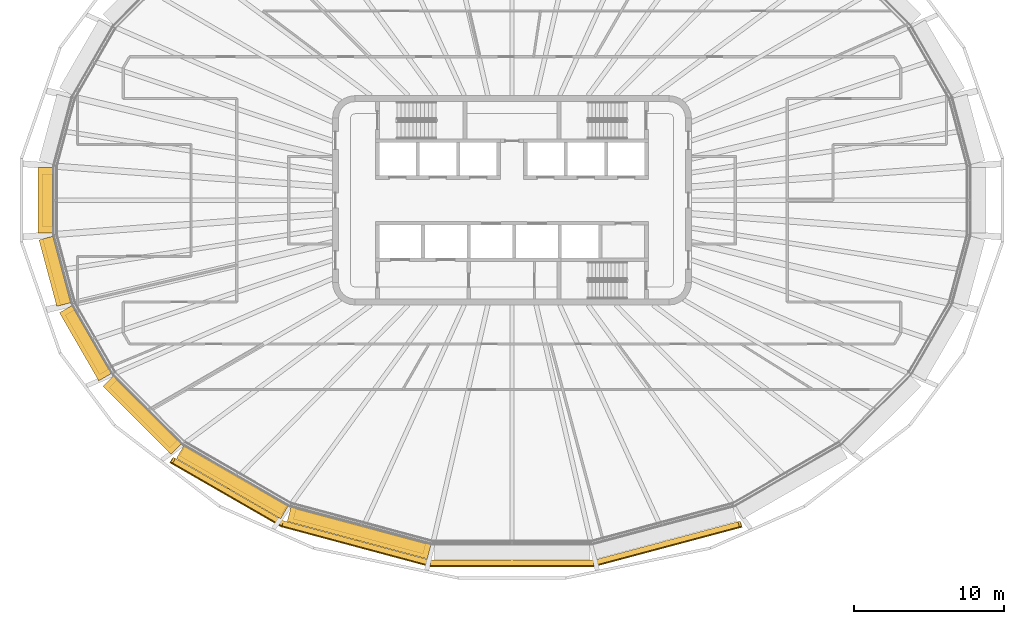
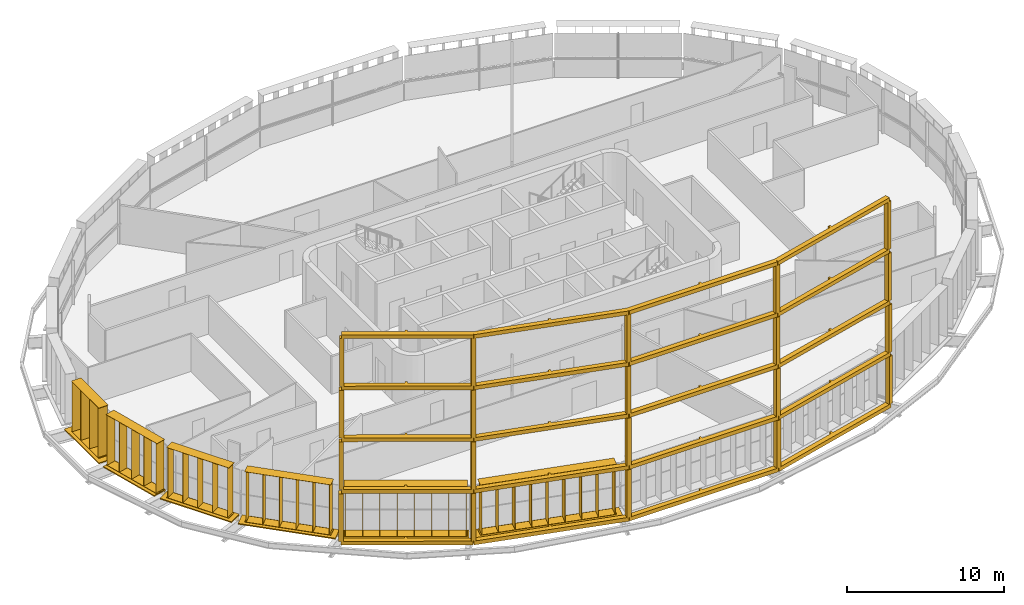
# One storey, part 16 of 20: 13 shading devices.
"""IFC4 building model written with IfcOpenShell, lengths in metres."""

from ifc_helpers import new_model, si_unit, direction, frame, origin, origin_2d, place, context, subcontext, project, spatial, polyline, rectangle, outline, extrude, material, type_object, element, save


model = new_model("IFC4")

# Units and contexts
model_context = context("Model", 3, precision=1e-05, world=origin(), true_north=direction((0.0, 1.0)))
body_context = subcontext(model_context, "Body", "Model", "MODEL_VIEW")
ifc_project = project(units=[si_unit("LENGTHUNIT", "METRE"), si_unit("AREAUNIT", "SQUARE_METRE"), si_unit("VOLUMEUNIT", "CUBIC_METRE"), si_unit("PLANEANGLEUNIT", "RADIAN"), si_unit("MASSUNIT", "GRAM", prefix="KILO")], contexts=[model_context])

# Site, building, storey
site_placement = place(None, origin())
site = spatial("IfcSite", under=ifc_project, at=site_placement, CompositionType="ELEMENT")
building_placement = place(site_placement, origin())
building = spatial("IfcBuilding", under=site, at=building_placement, Name="Sahrelin Media Tower", CompositionType="ELEMENT")
storey_placement = place(building_placement, frame((0.0, 0.0, 209.60009765625)))
storey = spatial("IfcBuildingStorey", under=building, at=storey_placement, Name="L44", CompositionType="ELEMENT", Elevation=209.60009765625)

# Shading devices
ifc_material_1 = material(Name="Dark bronze anodised aluminium 6063-T6", Category="aluminium")
shading_device_type_1 = type_object("IfcShadingDeviceType", Name="Deep frame", PredefinedType="USERDEFINED", material=ifc_material_1)
shading_device_1_placement = place(storey_placement, frame((-22.013916015625, -16.327880859375, 0.0), z_axis=(0.0, 0.0, 1.0), x_axis=(-0.866019052629, 0.500011000363, 0.0)))
element("IfcShadingDevice", 1, at=shading_device_1_placement, inside=storey, type_object=shading_device_type_1, Name="L44:FRAME:F4-1", ObjectType="FRAME", PredefinedType="USERDEFINED", context=body_context, shape_type="SweptSolid", body=[
    extrude(rectangle(XDim=0.300048828125, YDim=0.35009765625, at=origin_2d()), frame((0.0, 1.324951171875, 0.14990234375), z_axis=(0.0, 0.0, 1.0), x_axis=(-1.0, 0.0, 0.0)), (0.0, 0.0, 1.0), 3.7001953125),
    extrude(rectangle(XDim=0.300048828125, YDim=0.35009765625, at=origin_2d()), frame((-8.428466796875, 1.313720703125, 0.14990234375), z_axis=(0.0, 0.0, 1.0), x_axis=(-0.991434606813, -0.130604059715, 0.0)), (0.0, 0.0, 1.0), 3.7001953125),
    extrude(rectangle(XDim=0.300048828125, YDim=0.35009765625, at=origin_2d()), frame((-18.3173828125, -1.336181640625, 0.14990234375), z_axis=(0.0, 0.0, 1.0), x_axis=(-0.923862165937, -0.382725356294, 0.0)), (0.0, 0.0, 1.0), 3.7001953125),
    extrude(rectangle(XDim=0.300048828125, YDim=0.35009765625, at=origin_2d()), frame((-27.8134765625, -6.81884765625, 0.14990234375), z_axis=(0.0, 0.0, 1.0), x_axis=(-0.793315089117, -0.608811275668, 0.0)), (0.0, 0.0, 1.0), 3.7001953125),
    extrude(rectangle(XDim=0.300048828125, YDim=0.35009765625, at=origin_2d()), frame((-34.938232421875, -13.927490234375, 0.14990234375), z_axis=(0.0, 0.0, 1.0), x_axis=(-0.707106781187, -0.707106781187, 0.0)), (0.0, 0.0, 1.0), 3.7001953125),
    extrude(outline(polyline([(-27.90087890625, -6.667236328125), (-27.8134765625, -6.81884765625), (-27.93701171875, -6.69482421875), (-35.06201171875, -13.8037109375), (-34.814697265625, -14.051513671875), (-31.366455078125, -10.611083984375), (-31.242919921875, -10.734375), (-31.136962890625, -10.62841796875), (-31.26025390625, -10.5048828125), (-27.7060546875, -6.958984375), (-23.042724609375, -4.2666015625), (-22.95849609375, -4.41259765625), (-22.82861328125, -4.337646484375), (-22.912841796875, -4.19140625), (-18.249755859375, -1.499267578125), (-13.39990234375, -0.19970703125), (-13.3564453125, -0.362548828125), (-13.21142578125, -0.32373046875), (-13.255126953125, -0.160888671875), (-8.4052734375, 1.138671875), (-4.202880859375, 1.144287109375), (-4.202880859375, 0.969970703125), (-4.052734375, 0.969970703125), (-4.052734375, 1.14453125), (0.000244140625, 1.14990234375), (-0.000244140625, 1.5), (-8.4287109375, 1.48876953125), (-8.428466796875, 1.313720703125), (-8.473876953125, 1.482666015625), (-18.362548828125, -1.1669921875), (-18.3173828125, -1.336181640625), (-18.40478515625, -1.1845703125), (-27.90087890625, -6.667236328125)])), frame((0.0, 0.0, -0.14990234375)), (0.0, 0.0, 1.0), 0.2998046875),
    extrude(rectangle(XDim=0.300048828125, YDim=0.35009765625, at=origin_2d()), frame((-0.0146484375, 1.288818359375, 4.14990234375), z_axis=(0.0, 0.0, 1.0), x_axis=(-1.0, 0.0, 0.0)), (0.0, 0.0, 1.0), 3.7001953125),
    extrude(rectangle(XDim=0.300048828125, YDim=0.35009765625, at=origin_2d()), frame((-8.431396484375, 1.27734375, 4.14990234375), z_axis=(0.0, 0.0, 1.0), x_axis=(-0.991449189241, -0.130493314592, 0.0)), (0.0, 0.0, 1.0), 3.7001953125),
    extrude(rectangle(XDim=0.300048828125, YDim=0.35009765625, at=origin_2d()), frame((-18.306884765625, -1.368896484375, 4.14990234375), z_axis=(0.0, 0.0, 1.0), x_axis=(-0.923876860854, -0.382689882252, 0.0)), (0.0, 0.0, 1.0), 3.7001953125),
    extrude(rectangle(XDim=0.300048828125, YDim=0.35009765625, at=origin_2d()), frame((-27.790283203125, -6.84423828125, 4.14990234375), z_axis=(0.0, 0.0, 1.0), x_axis=(-0.793362902596, -0.608748966968, 0.0)), (0.0, 0.0, 1.0), 3.7001953125),
    extrude(rectangle(XDim=0.300048828125, YDim=0.35009765625, at=origin_2d()), frame((-34.905517578125, -13.943115234375, 4.14990234375), z_axis=(0.0, 0.0, 1.0), x_axis=(-0.707106781187, -0.707106781187, 0.0)), (0.0, 0.0, 1.0), 3.7001953125),
    extrude(outline(polyline([(-27.8779296875, -6.692626953125), (-27.790283203125, -6.84423828125), (-27.9140625, -6.72021484375), (-35.029052734375, -13.8193359375), (-34.78173828125, -14.067138671875), (-31.33837890625, -10.631591796875), (-31.215087890625, -10.7548828125), (-31.10888671875, -10.648681640625), (-31.232421875, -10.525390625), (-27.68310546875, -6.984375), (-23.026123046875, -4.29541015625), (-22.941650390625, -4.441650390625), (-22.811767578125, -4.36669921875), (-22.896240234375, -4.220458984375), (-18.2392578125, -1.531982421875), (-13.396240234375, -0.234130859375), (-13.3525390625, -0.397216796875), (-13.207763671875, -0.3583984375), (-13.25146484375, -0.1953125), (-8.408203125, 1.102294921875), (-4.211669921875, 1.10791015625), (-4.211669921875, 0.93359375), (-4.0615234375, 0.93359375), (-4.0615234375, 1.108154296875), (-0.014404296875, 1.11376953125), (-0.014892578125, 1.463623046875), (-8.431640625, 1.452392578125), (-8.431396484375, 1.27734375), (-8.476806640625, 1.4462890625), (-18.35205078125, -1.19970703125), (-18.306884765625, -1.368896484375), (-18.394287109375, -1.21728515625), (-27.8779296875, -6.692626953125)])), frame((0.0, 0.0, 3.85009765625)), (0.0, 0.0, 1.0), 0.2998046875),
    extrude(rectangle(XDim=0.300048828125, YDim=0.35009765625, at=origin_2d()), frame((-0.02783203125, 1.256103515625, 8.14990234375), z_axis=(0.0, 0.0, 1.0), x_axis=(-1.0, 0.0, 0.0)), (0.0, 0.0, 1.0), 3.7001953125),
    extrude(rectangle(XDim=0.300048828125, YDim=0.35009765625, at=origin_2d()), frame((-8.43408203125, 1.24462890625, 8.14990234375), z_axis=(0.0, 0.0, 1.0), x_axis=(-0.991447594891, -0.130505427419, 0.0)), (0.0, 0.0, 1.0), 3.7001953125),
    extrude(rectangle(XDim=0.300048828125, YDim=0.35009765625, at=origin_2d()), frame((-18.297607421875, -1.398193359375, 8.14990234375), z_axis=(0.0, 0.0, 1.0), x_axis=(-0.923912256654, -0.382604419741, 0.0)), (0.0, 0.0, 1.0), 3.7001953125),
    extrude(rectangle(XDim=0.300048828125, YDim=0.35009765625, at=origin_2d()), frame((-27.76953125, -6.866943359375, 8.14990234375), z_axis=(0.0, 0.0, 1.0), x_axis=(-0.793352277801, -0.608762813671, 0.0)), (0.0, 0.0, 1.0), 3.7001953125),
    extrude(rectangle(XDim=0.300048828125, YDim=0.35009765625, at=origin_2d()), frame((-34.875732421875, -13.957275390625, 8.14990234375), z_axis=(0.0, 0.0, 1.0), x_axis=(-0.707106781187, -0.707106781187, 0.0)), (0.0, 0.0, 1.0), 3.7001953125),
    extrude(outline(polyline([(-27.857177734375, -6.71533203125), (-27.76953125, -6.866943359375), (-27.893310546875, -6.7431640625), (-34.99951171875, -13.833251953125), (-34.752197265625, -14.0810546875), (-31.313232421875, -10.64990234375), (-31.18994140625, -10.773193359375), (-31.083740234375, -10.667236328125), (-31.20703125, -10.5439453125), (-27.662353515625, -7.007080078125), (-23.010986328125, -4.321533203125), (-22.9267578125, -4.4677734375), (-22.796875, -4.392578125), (-22.881103515625, -4.24658203125), (-18.22998046875, -1.561279296875), (-13.392822265625, -0.26513671875), (-13.349365234375, -0.427978515625), (-13.204345703125, -0.389404296875), (-13.248046875, -0.226318359375), (-8.410888671875, 1.06982421875), (-4.219482421875, 1.075439453125), (-4.219482421875, 0.901123046875), (-4.069580078125, 0.901123046875), (-4.069580078125, 1.07568359375), (-0.027587890625, 1.0810546875), (-0.028076171875, 1.43115234375), (-8.434326171875, 1.419677734375), (-8.43408203125, 1.24462890625), (-8.4794921875, 1.413818359375), (-18.3427734375, -1.22900390625), (-18.297607421875, -1.398193359375), (-18.385009765625, -1.24658203125), (-27.857177734375, -6.71533203125)])), frame((0.0, 0.0, 7.85009765625)), (0.0, 0.0, 1.0), 0.2998046875),
    extrude(rectangle(XDim=0.300048828125, YDim=0.35009765625, at=origin_2d()), frame((-0.03955078125, 1.227294921875, 12.14990234375), z_axis=(0.0, 0.0, 1.0), x_axis=(-1.0, 0.0, 0.0)), (0.0, 0.0, 1.0), 3.7001953125),
    extrude(rectangle(XDim=0.300048828125, YDim=0.35009765625, at=origin_2d()), frame((-8.436279296875, 1.216064453125, 12.14990234375), z_axis=(0.0, 0.0, 1.0), x_axis=(-0.991449189241, -0.130493314592, 0.0)), (0.0, 0.0, 1.0), 3.7001953125),
    extrude(rectangle(XDim=0.300048828125, YDim=0.35009765625, at=origin_2d()), frame((-18.289306640625, -1.424072265625, 12.14990234375), z_axis=(0.0, 0.0, 1.0), x_axis=(-0.923897565017, -0.382639895143, 0.0)), (0.0, 0.0, 1.0), 3.7001953125),
    extrude(rectangle(XDim=0.300048828125, YDim=0.35009765625, at=origin_2d()), frame((-27.751220703125, -6.886962890625, 12.14990234375), z_axis=(0.0, 0.0, 1.0), x_axis=(-0.793315089117, -0.608811275668, 0.0)), (0.0, 0.0, 1.0), 3.7001953125),
    extrude(rectangle(XDim=0.300048828125, YDim=0.35009765625, at=origin_2d()), frame((-34.849853515625, -13.969482421875, 12.14990234375), z_axis=(0.0, 0.0, 1.0), x_axis=(-0.707106781187, -0.707106781187, 0.0)), (0.0, 0.0, 1.0), 3.7001953125),
    extrude(outline(polyline([(-27.8388671875, -6.7353515625), (-27.751220703125, -6.886962890625), (-27.875, -6.76318359375), (-34.973388671875, -13.845703125), (-34.726318359375, -14.093505859375), (-31.291015625, -10.666015625), (-31.167724609375, -10.789306640625), (-31.0615234375, -10.683349609375), (-31.184814453125, -10.56005859375), (-27.643798828125, -7.027099609375), (-22.997802734375, -4.344482421875), (-22.913330078125, -4.490478515625), (-22.783447265625, -4.41552734375), (-22.867919921875, -4.26953125), (-18.2216796875, -1.587158203125), (-13.389892578125, -0.29248046875), (-13.346435546875, -0.455322265625), (-13.201416015625, -0.41650390625), (-13.2451171875, -0.253662109375), (-8.413330078125, 1.041015625), (-4.2265625, 1.046630859375), (-4.2265625, 0.872314453125), (-4.076416015625, 0.872314453125), (-4.076416015625, 1.046875), (-0.039306640625, 1.05224609375), (-0.039794921875, 1.40234375), (-8.436767578125, 1.39111328125), (-8.436279296875, 1.216064453125), (-8.481689453125, 1.385009765625), (-18.334716796875, -1.2548828125), (-18.289306640625, -1.424072265625), (-18.376953125, -1.2724609375), (-27.8388671875, -6.7353515625)])), frame((0.0, 0.0, 11.85009765625)), (0.0, 0.0, 1.0), 0.2998046875),
    extrude(outline(polyline([(-27.8388671875, -6.7353515625), (-27.751220703125, -6.886962890625), (-27.875, -6.76318359375), (-34.973388671875, -13.845703125), (-34.726318359375, -14.093505859375), (-31.291015625, -10.666015625), (-31.167724609375, -10.789306640625), (-31.0615234375, -10.683349609375), (-31.184814453125, -10.56005859375), (-27.643798828125, -7.027099609375), (-22.997802734375, -4.344482421875), (-22.913330078125, -4.490478515625), (-22.783447265625, -4.41552734375), (-22.867919921875, -4.26953125), (-18.2216796875, -1.587158203125), (-13.389892578125, -0.29248046875), (-13.346435546875, -0.455322265625), (-13.201416015625, -0.41650390625), (-13.2451171875, -0.253662109375), (-8.413330078125, 1.041015625), (-4.2265625, 1.046630859375), (-4.2265625, 0.872314453125), (-4.076416015625, 0.872314453125), (-4.076416015625, 1.046875), (-0.039306640625, 1.05224609375), (-0.039794921875, 1.40234375), (-8.436767578125, 1.39111328125), (-8.436279296875, 1.216064453125), (-8.481689453125, 1.385009765625), (-18.334716796875, -1.2548828125), (-18.289306640625, -1.424072265625), (-18.376953125, -1.2724609375), (-27.8388671875, -6.7353515625)])), frame((0.0, 0.0, 15.85009765625)), (0.0, 0.0, 1.0), 0.2998046875),
])
ifc_material_2 = material(Name="Champagne anodised aluminium 6063-T6", Category="aluminium")
shading_device_type_2 = type_object("IfcShadingDeviceType", Name="Fin cassette", PredefinedType="USERDEFINED", material=ifc_material_2)
placement_1 = place(storey_placement, frame((-30.665283203125, 0.0, 0.0), z_axis=(0.0, 0.0, 1.0), x_axis=(0.0, 1.0, 0.0)))
element("IfcShadingDevice", 2, at=placement_1, inside=storey, type_object=shading_device_type_2, Name="L44:FIN:L44-12", ObjectType="FIN", PredefinedType="USERDEFINED", context=body_context, shape_type="SweptSolid", body=[
    extrude(rectangle(XDim=3.5, YDim=0.699951171875, at=origin_2d()), frame((0.0, 0.419921875, 0.0)), (0.0, 0.0, 1.0), 0.02001953125),
    extrude(rectangle(XDim=3.5, YDim=0.699951171875, at=origin_2d()), frame((0.0, 0.419921875, 3.89990234375)), (0.0, 0.0, 1.0), 0.02001953125),
    extrude(rectangle(XDim=0.02001953125, YDim=0.699951171875, at=origin_2d()), frame((-1.64990234375, 0.419921875, 0.010009765625), z_axis=(0.0, 0.0, 1.0), x_axis=(1.0, 0.0, 0.0)), (0.0, 0.0, 1.0), 3.89990234375),
    extrude(rectangle(XDim=0.02001953125, YDim=0.699951171875, at=origin_2d()), frame((-0.550048828125, 0.419921875, 0.010009765625), z_axis=(0.0, 0.0, 1.0), x_axis=(1.0, 0.0, 0.0)), (0.0, 0.0, 1.0), 3.89990234375),
    extrude(rectangle(XDim=0.02001953125, YDim=0.699951171875, at=origin_2d()), frame((0.550048828125, 0.419921875, 0.010009765625), z_axis=(0.0, 0.0, 1.0), x_axis=(1.0, 0.0, 0.0)), (0.0, 0.0, 1.0), 3.89990234375),
    extrude(rectangle(XDim=0.02001953125, YDim=0.699951171875, at=origin_2d()), frame((1.64990234375, 0.419921875, 0.010009765625), z_axis=(0.0, 0.0, 1.0), x_axis=(1.0, 0.0, 0.0)), (0.0, 0.0, 1.0), 3.89990234375),
])
placement_2 = place(storey_placement, frame((-30.045166015625, -4.606201171875, 0.0), z_axis=(0.0, 0.0, 1.0), x_axis=(-0.258807731996, 0.965928857556, 0.0)))
element("IfcShadingDevice", 3, at=placement_2, inside=storey, type_object=shading_device_type_2, Name="L44:FIN:L44-13", ObjectType="FIN", PredefinedType="USERDEFINED", context=body_context, shape_type="SweptSolid", body=[
    extrude(rectangle(XDim=4.60009765625, YDim=0.699951171875, at=origin_2d()), frame((0.0, 0.419921875, 0.0)), (0.0, 0.0, 1.0), 0.02001953125),
    extrude(rectangle(XDim=4.60009765625, YDim=0.699951171875, at=origin_2d()), frame((0.0, 0.419921875, 3.89990234375)), (0.0, 0.0, 1.0), 0.02001953125),
    extrude(rectangle(XDim=0.02001953125, YDim=0.699951171875, at=origin_2d()), frame((-2.199951171875, 0.419921875, 0.010009765625), z_axis=(0.0, 0.0, 1.0), x_axis=(1.0, 0.0, 0.0)), (0.0, 0.0, 1.0), 3.89990234375),
    extrude(rectangle(XDim=0.02001953125, YDim=0.699951171875, at=origin_2d()), frame((-1.10009765625, 0.419921875, 0.010009765625), z_axis=(0.0, 0.0, 1.0), x_axis=(1.0, 0.0, 0.0)), (0.0, 0.0, 1.0), 3.89990234375),
    extrude(rectangle(XDim=0.02001953125, YDim=0.699951171875, at=origin_2d()), frame((0.0, 0.419921875, 0.010009765625), z_axis=(0.0, 0.0, 1.0), x_axis=(1.0, 0.0, 0.0)), (0.0, 0.0, 1.0), 3.89990234375),
    extrude(rectangle(XDim=0.02001953125, YDim=0.699951171875, at=origin_2d()), frame((1.10009765625, 0.419921875, 0.010009765625), z_axis=(0.0, 0.0, 1.0), x_axis=(1.0, 0.0, 0.0)), (0.0, 0.0, 1.0), 3.89990234375),
    extrude(rectangle(XDim=0.02001953125, YDim=0.699951171875, at=origin_2d()), frame((2.199951171875, 0.419921875, 0.010009765625), z_axis=(0.0, 0.0, 1.0), x_axis=(1.0, 0.0, 0.0)), (0.0, 0.0, 1.0), 3.89990234375),
])
placement_3 = place(storey_placement, frame((-28.0615234375, -9.281982421875, 0.0), z_axis=(0.0, 0.0, 1.0), x_axis=(-0.500011000363, 0.866019052629, 0.0)))
element("IfcShadingDevice", 4, at=placement_3, inside=storey, type_object=shading_device_type_2, Name="L44:FIN:L44-14", ObjectType="FIN", PredefinedType="USERDEFINED", context=body_context, shape_type="SweptSolid", body=[
    extrude(rectangle(XDim=4.60009765625, YDim=0.699951171875, at=origin_2d()), frame((0.0, 0.419921875, 0.0)), (0.0, 0.0, 1.0), 0.02001953125),
    extrude(rectangle(XDim=4.60009765625, YDim=0.699951171875, at=origin_2d()), frame((0.0, 0.419921875, 3.89990234375)), (0.0, 0.0, 1.0), 0.02001953125),
    extrude(rectangle(XDim=0.02001953125, YDim=0.699951171875, at=origin_2d()), frame((-2.199951171875, 0.419921875, 0.010009765625), z_axis=(0.0, 0.0, 1.0), x_axis=(1.0, 0.0, 0.0)), (0.0, 0.0, 1.0), 3.89990234375),
    extrude(rectangle(XDim=0.02001953125, YDim=0.699951171875, at=origin_2d()), frame((-1.10009765625, 0.419921875, 0.010009765625), z_axis=(0.0, 0.0, 1.0), x_axis=(1.0, 0.0, 0.0)), (0.0, 0.0, 1.0), 3.89990234375),
    extrude(rectangle(XDim=0.02001953125, YDim=0.699951171875, at=origin_2d()), frame((0.0, 0.419921875, 0.010009765625), z_axis=(0.0, 0.0, 1.0), x_axis=(1.0, 0.0, 0.0)), (0.0, 0.0, 1.0), 3.89990234375),
    extrude(rectangle(XDim=0.02001953125, YDim=0.699951171875, at=origin_2d()), frame((1.10009765625, 0.419921875, 0.010009765625), z_axis=(0.0, 0.0, 1.0), x_axis=(1.0, 0.0, 0.0)), (0.0, 0.0, 1.0), 3.89990234375),
    extrude(rectangle(XDim=0.02001953125, YDim=0.699951171875, at=origin_2d()), frame((2.199951171875, 0.419921875, 0.010009765625), z_axis=(0.0, 0.0, 1.0), x_axis=(1.0, 0.0, 0.0)), (0.0, 0.0, 1.0), 3.89990234375),
])
placement_4 = place(storey_placement, frame((-24.356201171875, -13.985595703125, 0.0), z_axis=(0.0, 0.0, 1.0), x_axis=(-0.707106781187, 0.707106781187, 0.0)))
element("IfcShadingDevice", 5, at=placement_4, inside=storey, type_object=shading_device_type_2, Name="L44:FIN:L44-15", ObjectType="FIN", PredefinedType="USERDEFINED", context=body_context, shape_type="SweptSolid", body=[
    extrude(rectangle(XDim=5.699951171875, YDim=0.699951171875, at=origin_2d()), frame((0.0, 0.419921875, 0.0)), (0.0, 0.0, 1.0), 0.02001953125),
    extrude(rectangle(XDim=5.699951171875, YDim=0.699951171875, at=origin_2d()), frame((0.0, 0.419921875, 3.89990234375)), (0.0, 0.0, 1.0), 0.02001953125),
    extrude(rectangle(XDim=0.02001953125, YDim=0.699951171875, at=origin_2d()), frame((-2.75, 0.419921875, 0.010009765625), z_axis=(0.0, 0.0, 1.0), x_axis=(1.0, 0.0, 0.0)), (0.0, 0.0, 1.0), 3.89990234375),
    extrude(rectangle(XDim=0.02001953125, YDim=0.699951171875, at=origin_2d()), frame((-1.64990234375, 0.419921875, 0.010009765625), z_axis=(0.0, 0.0, 1.0), x_axis=(1.0, 0.0, 0.0)), (0.0, 0.0, 1.0), 3.89990234375),
    extrude(rectangle(XDim=0.02001953125, YDim=0.699951171875, at=origin_2d()), frame((-0.550048828125, 0.419921875, 0.010009765625), z_axis=(0.0, 0.0, 1.0), x_axis=(1.0, 0.0, 0.0)), (0.0, 0.0, 1.0), 3.89990234375),
    extrude(rectangle(XDim=0.02001953125, YDim=0.699951171875, at=origin_2d()), frame((0.550048828125, 0.419921875, 0.010009765625), z_axis=(0.0, 0.0, 1.0), x_axis=(1.0, 0.0, 0.0)), (0.0, 0.0, 1.0), 3.89990234375),
    extrude(rectangle(XDim=0.02001953125, YDim=0.699951171875, at=origin_2d()), frame((1.64990234375, 0.419921875, 0.010009765625), z_axis=(0.0, 0.0, 1.0), x_axis=(1.0, 0.0, 0.0)), (0.0, 0.0, 1.0), 3.89990234375),
    extrude(rectangle(XDim=0.02001953125, YDim=0.699951171875, at=origin_2d()), frame((2.75, 0.419921875, 0.010009765625), z_axis=(0.0, 0.0, 1.0), x_axis=(1.0, 0.0, 0.0)), (0.0, 0.0, 1.0), 3.89990234375),
])
placement_5 = place(storey_placement, frame((-18.439208984375, -18.3916015625, 0.0), z_axis=(0.0, 0.0, 1.0), x_axis=(-0.866019052629, 0.500011000363, 0.0)))
element("IfcShadingDevice", 6, at=placement_5, inside=storey, type_object=shading_device_type_2, Name="L44:FIN:L44-16", ObjectType="FIN", PredefinedType="USERDEFINED", context=body_context, shape_type="SweptSolid", body=[
    extrude(rectangle(XDim=7.89990234375, YDim=0.699951171875, at=origin_2d()), frame((0.0, 0.419921875, 0.0)), (0.0, 0.0, 1.0), 0.02001953125),
    extrude(rectangle(XDim=7.89990234375, YDim=0.699951171875, at=origin_2d()), frame((0.0, 0.419921875, 3.89990234375)), (0.0, 0.0, 1.0), 0.02001953125),
    extrude(rectangle(XDim=0.02001953125, YDim=0.699951171875, at=origin_2d()), frame((-3.85009765625, 0.419921875, 0.010009765625), z_axis=(0.0, 0.0, 1.0), x_axis=(1.0, 0.0, 0.0)), (0.0, 0.0, 1.0), 3.89990234375),
    extrude(rectangle(XDim=0.02001953125, YDim=0.699951171875, at=origin_2d()), frame((-2.75, 0.419921875, 0.010009765625), z_axis=(0.0, 0.0, 1.0), x_axis=(1.0, 0.0, 0.0)), (0.0, 0.0, 1.0), 3.89990234375),
    extrude(rectangle(XDim=0.02001953125, YDim=0.699951171875, at=origin_2d()), frame((-1.64990234375, 0.419921875, 0.010009765625), z_axis=(0.0, 0.0, 1.0), x_axis=(1.0, 0.0, 0.0)), (0.0, 0.0, 1.0), 3.89990234375),
    extrude(rectangle(XDim=0.02001953125, YDim=0.699951171875, at=origin_2d()), frame((-0.550048828125, 0.419921875, 0.010009765625), z_axis=(0.0, 0.0, 1.0), x_axis=(1.0, 0.0, 0.0)), (0.0, 0.0, 1.0), 3.89990234375),
    extrude(rectangle(XDim=0.02001953125, YDim=0.699951171875, at=origin_2d()), frame((0.550048828125, 0.419921875, 0.010009765625), z_axis=(0.0, 0.0, 1.0), x_axis=(1.0, 0.0, 0.0)), (0.0, 0.0, 1.0), 3.89990234375),
    extrude(rectangle(XDim=0.02001953125, YDim=0.699951171875, at=origin_2d()), frame((1.64990234375, 0.419921875, 0.010009765625), z_axis=(0.0, 0.0, 1.0), x_axis=(1.0, 0.0, 0.0)), (0.0, 0.0, 1.0), 3.89990234375),
    extrude(rectangle(XDim=0.02001953125, YDim=0.699951171875, at=origin_2d()), frame((2.75, 0.419921875, 0.010009765625), z_axis=(0.0, 0.0, 1.0), x_axis=(1.0, 0.0, 0.0)), (0.0, 0.0, 1.0), 3.89990234375),
    extrude(rectangle(XDim=0.02001953125, YDim=0.699951171875, at=origin_2d()), frame((3.85009765625, 0.419921875, 0.010009765625), z_axis=(0.0, 0.0, 1.0), x_axis=(1.0, 0.0, 0.0)), (0.0, 0.0, 1.0), 3.89990234375),
])
placement_6 = place(storey_placement, frame((-10.087158203125, -21.735595703125, 0.0), z_axis=(0.0, 0.0, 1.0), x_axis=(-0.965928857556, 0.258807731996, 0.0)))
element("IfcShadingDevice", 7, at=placement_6, inside=storey, type_object=shading_device_type_2, Name="L44:FIN:L44-17", ObjectType="FIN", PredefinedType="USERDEFINED", context=body_context, shape_type="SweptSolid", body=[
    extrude(rectangle(XDim=9.0, YDim=0.699951171875, at=origin_2d()), frame((0.0, 0.419921875, 0.0)), (0.0, 0.0, 1.0), 0.02001953125),
    extrude(rectangle(XDim=9.0, YDim=0.699951171875, at=origin_2d()), frame((0.0, 0.419921875, 3.89990234375)), (0.0, 0.0, 1.0), 0.02001953125),
    extrude(rectangle(XDim=0.02001953125, YDim=0.699951171875, at=origin_2d()), frame((-4.39990234375, 0.419921875, 0.010009765625), z_axis=(0.0, 0.0, 1.0), x_axis=(1.0, 0.0, 0.0)), (0.0, 0.0, 1.0), 3.89990234375),
    extrude(rectangle(XDim=0.02001953125, YDim=0.699951171875, at=origin_2d()), frame((-3.300048828125, 0.419921875, 0.010009765625), z_axis=(0.0, 0.0, 1.0), x_axis=(1.0, 0.0, 0.0)), (0.0, 0.0, 1.0), 3.89990234375),
    extrude(rectangle(XDim=0.02001953125, YDim=0.699951171875, at=origin_2d()), frame((-2.199951171875, 0.419921875, 0.010009765625), z_axis=(0.0, 0.0, 1.0), x_axis=(1.0, 0.0, 0.0)), (0.0, 0.0, 1.0), 3.89990234375),
    extrude(rectangle(XDim=0.02001953125, YDim=0.699951171875, at=origin_2d()), frame((-1.10009765625, 0.419921875, 0.010009765625), z_axis=(0.0, 0.0, 1.0), x_axis=(1.0, 0.0, 0.0)), (0.0, 0.0, 1.0), 3.89990234375),
    extrude(rectangle(XDim=0.02001953125, YDim=0.699951171875, at=origin_2d()), frame((0.0, 0.419921875, 0.010009765625), z_axis=(0.0, 0.0, 1.0), x_axis=(1.0, 0.0, 0.0)), (0.0, 0.0, 1.0), 3.89990234375),
    extrude(rectangle(XDim=0.02001953125, YDim=0.699951171875, at=origin_2d()), frame((1.10009765625, 0.419921875, 0.010009765625), z_axis=(0.0, 0.0, 1.0), x_axis=(1.0, 0.0, 0.0)), (0.0, 0.0, 1.0), 3.89990234375),
    extrude(rectangle(XDim=0.02001953125, YDim=0.699951171875, at=origin_2d()), frame((2.199951171875, 0.419921875, 0.010009765625), z_axis=(0.0, 0.0, 1.0), x_axis=(1.0, 0.0, 0.0)), (0.0, 0.0, 1.0), 3.89990234375),
    extrude(rectangle(XDim=0.02001953125, YDim=0.699951171875, at=origin_2d()), frame((3.300048828125, 0.419921875, 0.010009765625), z_axis=(0.0, 0.0, 1.0), x_axis=(1.0, 0.0, 0.0)), (0.0, 0.0, 1.0), 3.89990234375),
    extrude(rectangle(XDim=0.02001953125, YDim=0.699951171875, at=origin_2d()), frame((4.39990234375, 0.419921875, 0.010009765625), z_axis=(0.0, 0.0, 1.0), x_axis=(1.0, 0.0, 0.0)), (0.0, 0.0, 1.0), 3.89990234375),
])
shading_device_type_3 = type_object("IfcShadingDeviceType", Name="Sunshade band", PredefinedType="USERDEFINED", material=ifc_material_2)
element("IfcShadingDevice", 8, at=placement_1, inside=storey, type_object=shading_device_type_3, Name="L44:SUN:L44-12", ObjectType="SUNSHADE", PredefinedType="USERDEFINED", context=body_context, shape_type="SweptSolid", body=[
    extrude(rectangle(XDim=4.3828125, YDim=0.050048828125, at=origin_2d()), frame((0.0, 0.044921875, -0.55126953125)), (0.0, 0.0, 1.0), 0.471435546875),
    extrude(rectangle(XDim=4.3828125, YDim=1.0, at=origin_2d()), frame((0.0, 0.52001953125, -0.080078125)), (0.0, 0.0, 1.0), 0.080078125),
    extrude(rectangle(XDim=0.10009765625, YDim=0.074951171875, at=origin_2d()), frame((-2.09130859375, -0.017578125, -0.47021484375)), (0.0, 0.0, 1.0), 0.300048828125),
    extrude(rectangle(XDim=0.10009765625, YDim=0.074951171875, at=origin_2d()), frame((-0.697021484375, -0.017578125, -0.47021484375)), (0.0, 0.0, 1.0), 0.300048828125),
    extrude(rectangle(XDim=0.10009765625, YDim=0.074951171875, at=origin_2d()), frame((0.697021484375, -0.017578125, -0.47021484375)), (0.0, 0.0, 1.0), 0.300048828125),
    extrude(rectangle(XDim=0.10009765625, YDim=0.074951171875, at=origin_2d()), frame((2.09130859375, -0.017578125, -0.47021484375)), (0.0, 0.0, 1.0), 0.300048828125),
])
element("IfcShadingDevice", 9, at=placement_2, inside=storey, type_object=shading_device_type_3, Name="L44:SUN:L44-13", ObjectType="SUNSHADE", PredefinedType="USERDEFINED", context=body_context, shape_type="SweptSolid", body=[
    extrude(rectangle(XDim=4.5927734375, YDim=0.050048828125, at=origin_2d()), frame((0.0, 0.044921875, -0.55126953125)), (0.0, 0.0, 1.0), 0.471435546875),
    extrude(rectangle(XDim=4.5927734375, YDim=1.0, at=origin_2d()), frame((0.0, 0.52001953125, -0.080078125)), (0.0, 0.0, 1.0), 0.080078125),
    extrude(rectangle(XDim=0.10009765625, YDim=0.074951171875, at=origin_2d()), frame((-2.1962890625, -0.017578125, -0.47021484375)), (0.0, 0.0, 1.0), 0.300048828125),
    extrude(rectangle(XDim=0.10009765625, YDim=0.074951171875, at=origin_2d()), frame((-0.732177734375, -0.017578125, -0.47021484375)), (0.0, 0.0, 1.0), 0.300048828125),
    extrude(rectangle(XDim=0.10009765625, YDim=0.074951171875, at=origin_2d()), frame((0.732177734375, -0.017578125, -0.47021484375)), (0.0, 0.0, 1.0), 0.300048828125),
    extrude(rectangle(XDim=0.10009765625, YDim=0.074951171875, at=origin_2d()), frame((2.1962890625, -0.017578125, -0.47021484375)), (0.0, 0.0, 1.0), 0.300048828125),
])
element("IfcShadingDevice", 10, at=placement_3, inside=storey, type_object=shading_device_type_3, Name="L44:SUN:L44-14", ObjectType="SUNSHADE", PredefinedType="USERDEFINED", context=body_context, shape_type="SweptSolid", body=[
    extrude(rectangle(XDim=5.253173828125, YDim=0.050048828125, at=origin_2d()), frame((0.0, 0.044921875, -0.55126953125)), (0.0, 0.0, 1.0), 0.471435546875),
    extrude(rectangle(XDim=5.253173828125, YDim=1.0, at=origin_2d()), frame((0.0, 0.52001953125, -0.080078125)), (0.0, 0.0, 1.0), 0.080078125),
    extrude(rectangle(XDim=0.10009765625, YDim=0.074951171875, at=origin_2d()), frame((-2.526611328125, -0.017578125, -0.47021484375)), (0.0, 0.0, 1.0), 0.300048828125),
    extrude(rectangle(XDim=0.10009765625, YDim=0.074951171875, at=origin_2d()), frame((-0.84228515625, -0.017578125, -0.47021484375)), (0.0, 0.0, 1.0), 0.300048828125),
    extrude(rectangle(XDim=0.10009765625, YDim=0.074951171875, at=origin_2d()), frame((0.84228515625, -0.017578125, -0.47021484375)), (0.0, 0.0, 1.0), 0.300048828125),
    extrude(rectangle(XDim=0.10009765625, YDim=0.074951171875, at=origin_2d()), frame((2.526611328125, -0.017578125, -0.47021484375)), (0.0, 0.0, 1.0), 0.300048828125),
])
element("IfcShadingDevice", 11, at=placement_4, inside=storey, type_object=shading_device_type_3, Name="L44:SUN:L44-15", ObjectType="SUNSHADE", PredefinedType="USERDEFINED", context=body_context, shape_type="SweptSolid", body=[
    extrude(rectangle(XDim=6.4248046875, YDim=0.050048828125, at=origin_2d()), frame((0.0, 0.044921875, -0.55126953125)), (0.0, 0.0, 1.0), 0.471435546875),
    extrude(rectangle(XDim=6.4248046875, YDim=1.0, at=origin_2d()), frame((0.0, 0.52001953125, -0.080078125)), (0.0, 0.0, 1.0), 0.080078125),
    extrude(rectangle(XDim=0.10009765625, YDim=0.074951171875, at=origin_2d()), frame((-3.1123046875, -0.017578125, -0.47021484375)), (0.0, 0.0, 1.0), 0.300048828125),
    extrude(rectangle(XDim=0.10009765625, YDim=0.074951171875, at=origin_2d()), frame((-1.55615234375, -0.017578125, -0.47021484375)), (0.0, 0.0, 1.0), 0.300048828125),
    extrude(rectangle(XDim=0.10009765625, YDim=0.074951171875, at=origin_2d()), frame((0.0, -0.017578125, -0.47021484375)), (0.0, 0.0, 1.0), 0.300048828125),
    extrude(rectangle(XDim=0.10009765625, YDim=0.074951171875, at=origin_2d()), frame((1.55615234375, -0.017578125, -0.47021484375)), (0.0, 0.0, 1.0), 0.300048828125),
    extrude(rectangle(XDim=0.10009765625, YDim=0.074951171875, at=origin_2d()), frame((3.1123046875, -0.017578125, -0.47021484375)), (0.0, 0.0, 1.0), 0.300048828125),
])
element("IfcShadingDevice", 12, at=placement_5, inside=storey, type_object=shading_device_type_3, Name="L44:SUN:L44-16", ObjectType="SUNSHADE", PredefinedType="USERDEFINED", context=body_context, shape_type="SweptSolid", body=[
    extrude(rectangle(XDim=8.055419921875, YDim=0.050048828125, at=origin_2d()), frame((0.0, 0.044921875, -0.55126953125)), (0.0, 0.0, 1.0), 0.471435546875),
    extrude(rectangle(XDim=8.055419921875, YDim=1.0, at=origin_2d()), frame((0.0, 0.52001953125, -0.080078125)), (0.0, 0.0, 1.0), 0.080078125),
    extrude(rectangle(XDim=0.10009765625, YDim=0.074951171875, at=origin_2d()), frame((-3.927734375, -0.017578125, -0.47021484375)), (0.0, 0.0, 1.0), 0.300048828125),
    extrude(rectangle(XDim=0.10009765625, YDim=0.074951171875, at=origin_2d()), frame((-2.356689453125, -0.017578125, -0.47021484375)), (0.0, 0.0, 1.0), 0.300048828125),
    extrude(rectangle(XDim=0.10009765625, YDim=0.074951171875, at=origin_2d()), frame((-0.78564453125, -0.017578125, -0.47021484375)), (0.0, 0.0, 1.0), 0.300048828125),
    extrude(rectangle(XDim=0.10009765625, YDim=0.074951171875, at=origin_2d()), frame((0.78564453125, -0.017578125, -0.47021484375)), (0.0, 0.0, 1.0), 0.300048828125),
    extrude(rectangle(XDim=0.10009765625, YDim=0.074951171875, at=origin_2d()), frame((2.356689453125, -0.017578125, -0.47021484375)), (0.0, 0.0, 1.0), 0.300048828125),
    extrude(rectangle(XDim=0.10009765625, YDim=0.074951171875, at=origin_2d()), frame((3.927734375, -0.017578125, -0.47021484375)), (0.0, 0.0, 1.0), 0.300048828125),
])
element("IfcShadingDevice", 13, at=placement_6, inside=storey, type_object=shading_device_type_3, Name="L44:SUN:L44-17", ObjectType="SUNSHADE", PredefinedType="USERDEFINED", context=body_context, shape_type="SweptSolid", body=[
    extrude(rectangle(XDim=9.691650390625, YDim=0.050048828125, at=origin_2d()), frame((0.0, 0.044921875, -0.55126953125)), (0.0, 0.0, 1.0), 0.471435546875),
    extrude(rectangle(XDim=9.691650390625, YDim=1.0, at=origin_2d()), frame((0.0, 0.52001953125, -0.080078125)), (0.0, 0.0, 1.0), 0.080078125),
    extrude(rectangle(XDim=0.10009765625, YDim=0.074951171875, at=origin_2d()), frame((-4.745849609375, -0.017578125, -0.47021484375)), (0.0, 0.0, 1.0), 0.300048828125),
    extrude(rectangle(XDim=0.10009765625, YDim=0.074951171875, at=origin_2d()), frame((-2.847412109375, -0.017578125, -0.47021484375)), (0.0, 0.0, 1.0), 0.300048828125),
    extrude(rectangle(XDim=0.10009765625, YDim=0.074951171875, at=origin_2d()), frame((-0.94921875, -0.017578125, -0.47021484375)), (0.0, 0.0, 1.0), 0.300048828125),
    extrude(rectangle(XDim=0.10009765625, YDim=0.074951171875, at=origin_2d()), frame((0.94921875, -0.017578125, -0.47021484375)), (0.0, 0.0, 1.0), 0.300048828125),
    extrude(rectangle(XDim=0.10009765625, YDim=0.074951171875, at=origin_2d()), frame((2.847412109375, -0.017578125, -0.47021484375)), (0.0, 0.0, 1.0), 0.300048828125),
    extrude(rectangle(XDim=0.10009765625, YDim=0.074951171875, at=origin_2d()), frame((4.745849609375, -0.017578125, -0.47021484375)), (0.0, 0.0, 1.0), 0.300048828125),
])

save(model, "model.ifc")
